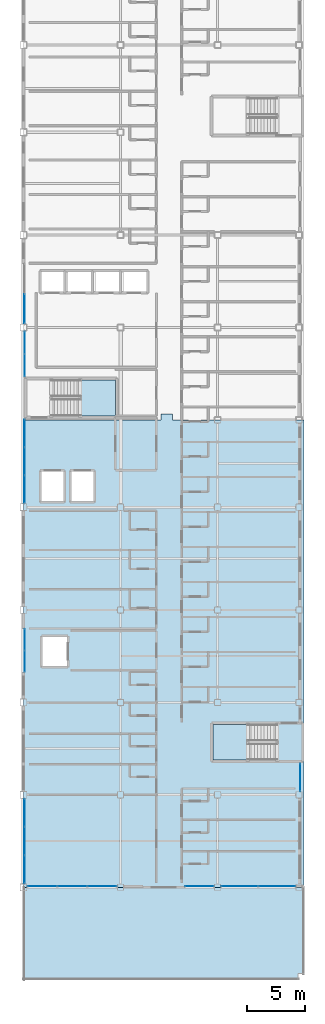
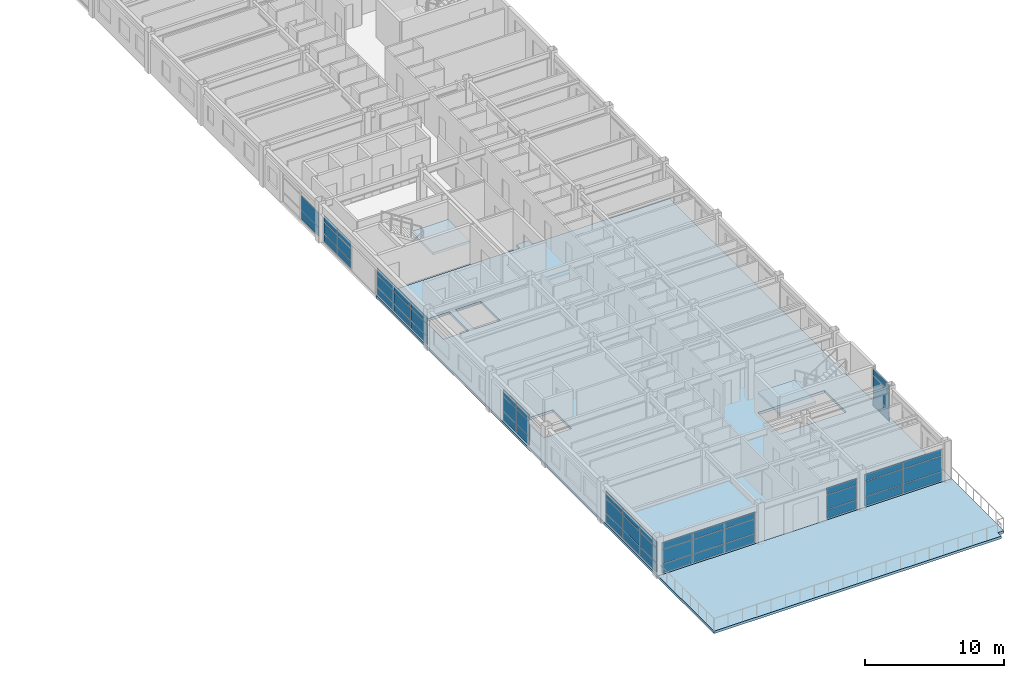
# One storey, part 23 of 36: 53 plates, 4 slabs, 11 elements without a shape of their own.
"""IFC4 building model written with IfcOpenShell, lengths in metres."""

from ifc_helpers import new_model, si_unit, direction, frame, origin, origin_2d, place, context, subcontext, project, spatial, polyline, rectangle, outline, extrude, material, layer, layer_set, type_object, element, aggregate, save


model = new_model("IFC4")

# Units and contexts
model_context = context("Model", 3, precision=1e-05, world=origin(), true_north=direction((0.0, 1.0)))
body_context = subcontext(model_context, "Body", "Model", "MODEL_VIEW")
ifc_project = project(units=[si_unit("LENGTHUNIT", "METRE"), si_unit("AREAUNIT", "SQUARE_METRE"), si_unit("VOLUMEUNIT", "CUBIC_METRE"), si_unit("PLANEANGLEUNIT", "RADIAN"), si_unit("MASSUNIT", "GRAM", prefix="KILO")], contexts=[model_context])

# Site, building, storey
site_placement = place(None, origin())
site = spatial("IfcSite", under=ifc_project, at=site_placement, CompositionType="ELEMENT")
building_placement = place(site_placement, origin())
building = spatial("IfcBuilding", under=site, at=building_placement, Name="Kazehara Bluff Congress Hotel", CompositionType="ELEMENT")
storey_placement = place(building_placement, frame((0.0, 0.0, 31.800048828125)))
storey = spatial("IfcBuildingStorey", under=building, at=storey_placement, Name="L07", CompositionType="ELEMENT", Elevation=31.800048828125)

# Curtain wall, plates
ifc_material_1 = material(Name="Anodised aluminium", Category="aluminium")
ifc_layer_1 = layer(ifc_material_1, 0.159912109375)
ifc_layer_set_1 = layer_set([ifc_layer_1], Name="Anodised aluminium")
curtain_wall_type_1 = type_object("IfcCurtainWallType", Name="TP-CW-182", PredefinedType="NOTDEFINED", material=ifc_layer_set_1)
curtain_wall_1_placement = place(storey_placement, origin())
curtain_wall_1 = element("IfcCurtainWall", 1, at=curtain_wall_1_placement, inside=storey, type_object=curtain_wall_type_1, Name="L07 curtain wall CW-182 CW-ENC-V5-L07-14791-810", PredefinedType="NOTDEFINED")
ifc_material_2 = material(Name="Insulated low-E double glazing", Category="glass")
ifc_layer_2 = layer(ifc_material_2, 0.028076171875)
ifc_layer_set_2 = layer_set([ifc_layer_2], Name="Insulated low-E double glazing")
plate_type_1 = type_object("IfcPlateType", Name="TP-CWP-01", PredefinedType="CURTAIN_PANEL", material=ifc_layer_set_2)
plate_1_placement = place(storey_placement, frame((150.504638671875, 8.10009765625, 0.06494140625), z_axis=(0.0, 0.0, 1.0), x_axis=(-1.0, 0.0, 0.0)))
plate_1 = element("IfcPlate", 2, at=plate_1_placement, type_object=plate_type_1, Name="CW-182 panel 1.1", PredefinedType="CURTAIN_PANEL", context=body_context, shape_type="SweptSolid", body=[
    extrude(rectangle(XDim=2.5107421875, YDim=0.028076171875, at=origin_2d()), origin(), (0.0, 0.0, 1.0), 0.7275390625),
])
plate_2_placement = place(storey_placement, frame((150.504638671875, 8.10009765625, 0.857421875), z_axis=(0.0, 0.0, 1.0), x_axis=(-1.0, 0.0, 0.0)))
plate_2 = element("IfcPlate", 3, at=plate_2_placement, type_object=plate_type_1, Name="CW-182 panel 1.2", PredefinedType="CURTAIN_PANEL", context=body_context, shape_type="SweptSolid", body=[
    extrude(rectangle(XDim=2.5107421875, YDim=0.028076171875, at=origin_2d()), origin(), (0.0, 0.0, 1.0), 1.215087890625),
])
plate_3_placement = place(storey_placement, frame((150.504638671875, 8.10009765625, 2.1376953125), z_axis=(0.0, 0.0, 1.0), x_axis=(-1.0, 0.0, 0.0)))
plate_3 = element("IfcPlate", 4, at=plate_3_placement, type_object=plate_type_1, Name="CW-182 panel 1.3", PredefinedType="CURTAIN_PANEL", context=body_context, shape_type="SweptSolid", body=[
    extrude(rectangle(XDim=2.5107421875, YDim=0.028076171875, at=origin_2d()), origin(), (0.0, 0.0, 1.0), 0.552490234375),
])
plate_4_placement = place(storey_placement, frame((147.91259765625, 8.10009765625, 0.06494140625), z_axis=(0.0, 0.0, 1.0), x_axis=(-1.0, 0.0, 0.0)))
plate_4 = element("IfcPlate", 5, at=plate_4_placement, type_object=plate_type_1, Name="CW-182 panel 2.1", PredefinedType="CURTAIN_PANEL", context=body_context, shape_type="SweptSolid", body=[
    extrude(rectangle(XDim=2.543212890625, YDim=0.028076171875, at=origin_2d()), origin(), (0.0, 0.0, 1.0), 0.7275390625),
])
plate_5_placement = place(storey_placement, frame((147.91259765625, 8.10009765625, 0.857421875), z_axis=(0.0, 0.0, 1.0), x_axis=(-1.0, 0.0, 0.0)))
plate_5 = element("IfcPlate", 6, at=plate_5_placement, type_object=plate_type_1, Name="CW-182 panel 2.2", PredefinedType="CURTAIN_PANEL", context=body_context, shape_type="SweptSolid", body=[
    extrude(rectangle(XDim=2.543212890625, YDim=0.028076171875, at=origin_2d()), origin(), (0.0, 0.0, 1.0), 1.215087890625),
])
plate_6_placement = place(storey_placement, frame((147.91259765625, 8.10009765625, 2.1376953125), z_axis=(0.0, 0.0, 1.0), x_axis=(-1.0, 0.0, 0.0)))
plate_6 = element("IfcPlate", 7, at=plate_6_placement, type_object=plate_type_1, Name="CW-182 panel 2.3", PredefinedType="CURTAIN_PANEL", context=body_context, shape_type="SweptSolid", body=[
    extrude(rectangle(XDim=2.543212890625, YDim=0.028076171875, at=origin_2d()), origin(), (0.0, 0.0, 1.0), 0.552490234375),
])
plate_7_placement = place(storey_placement, frame((145.3203125, 8.10009765625, 0.06494140625), z_axis=(0.0, 0.0, 1.0), x_axis=(-1.0, 0.0, 0.0)))
plate_7 = element("IfcPlate", 8, at=plate_7_placement, type_object=plate_type_1, Name="CW-182 panel 3.1", PredefinedType="CURTAIN_PANEL", context=body_context, shape_type="SweptSolid", body=[
    extrude(rectangle(XDim=2.5107421875, YDim=0.028076171875, at=origin_2d()), origin(), (0.0, 0.0, 1.0), 0.7275390625),
])
plate_8_placement = place(storey_placement, frame((145.3203125, 8.10009765625, 0.857421875), z_axis=(0.0, 0.0, 1.0), x_axis=(-1.0, 0.0, 0.0)))
plate_8 = element("IfcPlate", 9, at=plate_8_placement, type_object=plate_type_1, Name="CW-182 panel 3.2", PredefinedType="CURTAIN_PANEL", context=body_context, shape_type="SweptSolid", body=[
    extrude(rectangle(XDim=2.5107421875, YDim=0.028076171875, at=origin_2d()), origin(), (0.0, 0.0, 1.0), 1.215087890625),
])
plate_9_placement = place(storey_placement, frame((145.3203125, 8.10009765625, 2.1376953125), z_axis=(0.0, 0.0, 1.0), x_axis=(-1.0, 0.0, 0.0)))
plate_9 = element("IfcPlate", 10, at=plate_9_placement, type_object=plate_type_1, Name="CW-182 panel 3.3", PredefinedType="CURTAIN_PANEL", context=body_context, shape_type="SweptSolid", body=[
    extrude(rectangle(XDim=2.5107421875, YDim=0.028076171875, at=origin_2d()), origin(), (0.0, 0.0, 1.0), 0.552490234375),
])
aggregate(curtain_wall_1, [plate_1, plate_2, plate_3, plate_4, plate_5, plate_6, plate_7, plate_8, plate_9])

ifc_material_3 = material(Name="Anodised aluminium", Category="aluminium")
ifc_layer_3 = layer(ifc_material_3, 0.159912109375)
ifc_layer_set_3 = layer_set([ifc_layer_3], Name="Anodised aluminium")
curtain_wall_type_2 = type_object("IfcCurtainWallType", Name="TP-CW-173", PredefinedType="NOTDEFINED", material=ifc_layer_set_3)
curtain_wall_2_placement = place(storey_placement, origin())
curtain_wall_2 = element("IfcCurtainWall", 11, at=curtain_wall_2_placement, inside=storey, type_object=curtain_wall_type_2, Name="L07 curtain wall CW-173 CW-ENC-V5-L07-16402-810", PredefinedType="NOTDEFINED")
plate_10_placement = place(storey_placement, frame((165.635009765625, 8.10009765625, 0.06005859375), z_axis=(0.0, 0.0, 1.0), x_axis=(-1.0, 0.0, 0.0)))
plate_10 = element("IfcPlate", 12, at=plate_10_placement, type_object=plate_type_1, Name="CW-173 panel 1.1", PredefinedType="CURTAIN_PANEL", context=body_context, shape_type="SweptSolid", body=[
    extrude(rectangle(XDim=3.159912109375, YDim=0.028076171875, at=origin_2d()), origin(), (0.0, 0.0, 1.0), 0.764892578125),
])
plate_11_placement = place(storey_placement, frame((165.635009765625, 8.10009765625, 0.885009765625), z_axis=(0.0, 0.0, 1.0), x_axis=(-1.0, 0.0, 0.0)))
plate_11 = element("IfcPlate", 13, at=plate_11_placement, type_object=plate_type_1, Name="CW-173 panel 1.2", PredefinedType="CURTAIN_PANEL", context=body_context, shape_type="SweptSolid", body=[
    extrude(rectangle(XDim=3.159912109375, YDim=0.028076171875, at=origin_2d()), origin(), (0.0, 0.0, 1.0), 1.2900390625),
])
plate_12_placement = place(storey_placement, frame((165.635009765625, 8.10009765625, 2.23486328125), z_axis=(0.0, 0.0, 1.0), x_axis=(-1.0, 0.0, 0.0)))
plate_12 = element("IfcPlate", 14, at=plate_12_placement, type_object=plate_type_1, Name="CW-173 panel 1.3", PredefinedType="CURTAIN_PANEL", context=body_context, shape_type="SweptSolid", body=[
    extrude(rectangle(XDim=3.159912109375, YDim=0.028076171875, at=origin_2d()), origin(), (0.0, 0.0, 1.0), 0.56005859375),
])
plate_13_placement = place(storey_placement, frame((162.4150390625, 8.10009765625, 0.06005859375), z_axis=(0.0, 0.0, 1.0), x_axis=(-1.0, 0.0, 0.0)))
plate_13 = element("IfcPlate", 15, at=plate_13_placement, type_object=plate_type_1, Name="CW-173 panel 2.1", PredefinedType="CURTAIN_PANEL", context=body_context, shape_type="SweptSolid", body=[
    extrude(rectangle(XDim=3.159912109375, YDim=0.028076171875, at=origin_2d()), origin(), (0.0, 0.0, 1.0), 0.764892578125),
])
plate_14_placement = place(storey_placement, frame((162.4150390625, 8.10009765625, 0.885009765625), z_axis=(0.0, 0.0, 1.0), x_axis=(-1.0, 0.0, 0.0)))
plate_14 = element("IfcPlate", 16, at=plate_14_placement, type_object=plate_type_1, Name="CW-173 panel 2.2", PredefinedType="CURTAIN_PANEL", context=body_context, shape_type="SweptSolid", body=[
    extrude(rectangle(XDim=3.159912109375, YDim=0.028076171875, at=origin_2d()), origin(), (0.0, 0.0, 1.0), 1.2900390625),
])
plate_15_placement = place(storey_placement, frame((162.4150390625, 8.10009765625, 2.23486328125), z_axis=(0.0, 0.0, 1.0), x_axis=(-1.0, 0.0, 0.0)))
plate_15 = element("IfcPlate", 17, at=plate_15_placement, type_object=plate_type_1, Name="CW-173 panel 2.3", PredefinedType="CURTAIN_PANEL", context=body_context, shape_type="SweptSolid", body=[
    extrude(rectangle(XDim=3.159912109375, YDim=0.028076171875, at=origin_2d()), origin(), (0.0, 0.0, 1.0), 0.56005859375),
])
aggregate(curtain_wall_2, [plate_10, plate_11, plate_12, plate_13, plate_14, plate_15])

ifc_material_4 = material(Name="Anodised aluminium", Category="aluminium")
ifc_layer_4 = layer(ifc_material_4, 0.159912109375)
ifc_layer_set_4 = layer_set([ifc_layer_4], Name="Anodised aluminium")
curtain_wall_type_3 = type_object("IfcCurtainWallType", Name="TP-CW-184", PredefinedType="NOTDEFINED", material=ifc_layer_set_4)
curtain_wall_3_placement = place(storey_placement, origin())
curtain_wall_3 = element("IfcCurtainWall", 18, at=curtain_wall_3_placement, inside=storey, type_object=curtain_wall_type_3, Name="L07 curtain wall CW-184 CW-ENC-V5-L07-14380-1200", PredefinedType="NOTDEFINED")
plate_16_placement = place(storey_placement, frame((143.800048828125, 9.549560546875, 0.06494140625), z_axis=(0.0, 0.0, 1.0), x_axis=(0.0, 1.0, 0.0)))
plate_16 = element("IfcPlate", 19, at=plate_16_placement, type_object=plate_type_1, Name="CW-184 panel 1.1", PredefinedType="CURTAIN_PANEL", context=body_context, shape_type="SweptSolid", body=[
    extrude(rectangle(XDim=2.369140625, YDim=0.028076171875, at=origin_2d()), origin(), (0.0, 0.0, 1.0), 0.742431640625),
])
plate_17_placement = place(storey_placement, frame((143.800048828125, 9.549560546875, 0.87255859375), z_axis=(0.0, 0.0, 1.0), x_axis=(0.0, 1.0, 0.0)))
plate_17 = element("IfcPlate", 20, at=plate_17_placement, type_object=plate_type_1, Name="CW-184 panel 1.2", PredefinedType="CURTAIN_PANEL", context=body_context, shape_type="SweptSolid", body=[
    extrude(rectangle(XDim=2.369140625, YDim=0.028076171875, at=origin_2d()), origin(), (0.0, 0.0, 1.0), 1.25),
])
plate_18_placement = place(storey_placement, frame((143.800048828125, 9.549560546875, 2.1875), z_axis=(0.0, 0.0, 1.0), x_axis=(0.0, 1.0, 0.0)))
plate_18 = element("IfcPlate", 21, at=plate_18_placement, type_object=plate_type_1, Name="CW-184 panel 1.3", PredefinedType="CURTAIN_PANEL", context=body_context, shape_type="SweptSolid", body=[
    extrude(rectangle(XDim=2.369140625, YDim=0.028076171875, at=origin_2d()), origin(), (0.0, 0.0, 1.0), 0.552490234375),
])
plate_19_placement = place(storey_placement, frame((143.800048828125, 12.0, 0.06494140625), z_axis=(0.0, 0.0, 1.0), x_axis=(0.0, 1.0, 0.0)))
plate_19 = element("IfcPlate", 22, at=plate_19_placement, type_object=plate_type_1, Name="CW-184 panel 2.1", PredefinedType="CURTAIN_PANEL", context=body_context, shape_type="SweptSolid", body=[
    extrude(rectangle(XDim=2.401611328125, YDim=0.028076171875, at=origin_2d()), origin(), (0.0, 0.0, 1.0), 0.742431640625),
])
plate_20_placement = place(storey_placement, frame((143.800048828125, 12.0, 0.87255859375), z_axis=(0.0, 0.0, 1.0), x_axis=(0.0, 1.0, 0.0)))
plate_20 = element("IfcPlate", 23, at=plate_20_placement, type_object=plate_type_1, Name="CW-184 panel 2.2", PredefinedType="CURTAIN_PANEL", context=body_context, shape_type="SweptSolid", body=[
    extrude(rectangle(XDim=2.401611328125, YDim=0.028076171875, at=origin_2d()), origin(), (0.0, 0.0, 1.0), 1.25),
])
plate_21_placement = place(storey_placement, frame((143.800048828125, 12.0, 2.1875), z_axis=(0.0, 0.0, 1.0), x_axis=(0.0, 1.0, 0.0)))
plate_21 = element("IfcPlate", 24, at=plate_21_placement, type_object=plate_type_1, Name="CW-184 panel 2.3", PredefinedType="CURTAIN_PANEL", context=body_context, shape_type="SweptSolid", body=[
    extrude(rectangle(XDim=2.401611328125, YDim=0.028076171875, at=origin_2d()), origin(), (0.0, 0.0, 1.0), 0.552490234375),
])
plate_22_placement = place(storey_placement, frame((143.800048828125, 14.450439453125, 0.06494140625), z_axis=(0.0, 0.0, 1.0), x_axis=(0.0, 1.0, 0.0)))
plate_22 = element("IfcPlate", 25, at=plate_22_placement, type_object=plate_type_1, Name="CW-184 panel 3.1", PredefinedType="CURTAIN_PANEL", context=body_context, shape_type="SweptSolid", body=[
    extrude(rectangle(XDim=2.369140625, YDim=0.028076171875, at=origin_2d()), origin(), (0.0, 0.0, 1.0), 0.742431640625),
])
plate_23_placement = place(storey_placement, frame((143.800048828125, 14.450439453125, 0.87255859375), z_axis=(0.0, 0.0, 1.0), x_axis=(0.0, 1.0, 0.0)))
plate_23 = element("IfcPlate", 26, at=plate_23_placement, type_object=plate_type_1, Name="CW-184 panel 3.2", PredefinedType="CURTAIN_PANEL", context=body_context, shape_type="SweptSolid", body=[
    extrude(rectangle(XDim=2.369140625, YDim=0.028076171875, at=origin_2d()), origin(), (0.0, 0.0, 1.0), 1.25),
])
plate_24_placement = place(storey_placement, frame((143.800048828125, 14.450439453125, 2.1875), z_axis=(0.0, 0.0, 1.0), x_axis=(0.0, 1.0, 0.0)))
plate_24 = element("IfcPlate", 27, at=plate_24_placement, type_object=plate_type_1, Name="CW-184 panel 3.3", PredefinedType="CURTAIN_PANEL", context=body_context, shape_type="SweptSolid", body=[
    extrude(rectangle(XDim=2.369140625, YDim=0.028076171875, at=origin_2d()), origin(), (0.0, 0.0, 1.0), 0.552490234375),
])
aggregate(curtain_wall_3, [plate_16, plate_17, plate_18, plate_19, plate_20, plate_21, plate_22, plate_23, plate_24])

ifc_material_5 = material(Name="Anodised aluminium", Category="aluminium")
ifc_layer_5 = layer(ifc_material_5, 0.159912109375)
ifc_layer_set_5 = layer_set([ifc_layer_5], Name="Anodised aluminium")
curtain_wall_type_4 = type_object("IfcCurtainWallType", Name="TP-CW-177", PredefinedType="NOTDEFINED", material=ifc_layer_set_5)
curtain_wall_4_placement = place(storey_placement, origin())
curtain_wall_4 = element("IfcCurtainWall", 28, at=curtain_wall_4_placement, inside=storey, type_object=curtain_wall_type_4, Name="L07 curtain wall CW-177 CW-ENC-V5-L07-14380-4487", PredefinedType="NOTDEFINED")
plate_25_placement = place(storey_placement, frame((143.800048828125, 42.439697265625, 0.06494140625), z_axis=(0.0, 0.0, 1.0), x_axis=(0.0, 1.0, 0.0)))
plate_25 = element("IfcPlate", 29, at=plate_25_placement, type_object=plate_type_1, Name="CW-177 panel 1.1", PredefinedType="CURTAIN_PANEL", context=body_context, shape_type="SweptSolid", body=[
    extrude(rectangle(XDim=2.34912109375, YDim=0.028076171875, at=origin_2d()), origin(), (0.0, 0.0, 1.0), 0.637451171875),
])
plate_26_placement = place(storey_placement, frame((143.800048828125, 42.439697265625, 0.767578125), z_axis=(0.0, 0.0, 1.0), x_axis=(0.0, 1.0, 0.0)))
plate_26 = element("IfcPlate", 30, at=plate_26_placement, type_object=plate_type_1, Name="CW-177 panel 1.2", PredefinedType="CURTAIN_PANEL", context=body_context, shape_type="SweptSolid", body=[
    extrude(rectangle(XDim=2.34912109375, YDim=0.028076171875, at=origin_2d()), origin(), (0.0, 0.0, 1.0), 1.0048828125),
])
plate_27_placement = place(storey_placement, frame((143.800048828125, 42.439697265625, 1.83740234375), z_axis=(0.0, 0.0, 1.0), x_axis=(0.0, 1.0, 0.0)))
plate_27 = element("IfcPlate", 31, at=plate_27_placement, type_object=plate_type_1, Name="CW-177 panel 1.3", PredefinedType="CURTAIN_PANEL", context=body_context, shape_type="SweptSolid", body=[
    extrude(rectangle(XDim=2.34912109375, YDim=0.028076171875, at=origin_2d()), origin(), (0.0, 0.0, 1.0), 0.552490234375),
])
plate_28_placement = place(storey_placement, frame((143.800048828125, 44.8701171875, 0.06494140625), z_axis=(0.0, 0.0, 1.0), x_axis=(0.0, 1.0, 0.0)))
plate_28 = element("IfcPlate", 32, at=plate_28_placement, type_object=plate_type_1, Name="CW-177 panel 2.1", PredefinedType="CURTAIN_PANEL", context=body_context, shape_type="SweptSolid", body=[
    extrude(rectangle(XDim=2.381591796875, YDim=0.028076171875, at=origin_2d()), origin(), (0.0, 0.0, 1.0), 0.637451171875),
])
plate_29_placement = place(storey_placement, frame((143.800048828125, 44.8701171875, 0.767578125), z_axis=(0.0, 0.0, 1.0), x_axis=(0.0, 1.0, 0.0)))
plate_29 = element("IfcPlate", 33, at=plate_29_placement, type_object=plate_type_1, Name="CW-177 panel 2.2", PredefinedType="CURTAIN_PANEL", context=body_context, shape_type="SweptSolid", body=[
    extrude(rectangle(XDim=2.381591796875, YDim=0.028076171875, at=origin_2d()), origin(), (0.0, 0.0, 1.0), 1.0048828125),
])
plate_30_placement = place(storey_placement, frame((143.800048828125, 44.8701171875, 1.83740234375), z_axis=(0.0, 0.0, 1.0), x_axis=(0.0, 1.0, 0.0)))
plate_30 = element("IfcPlate", 34, at=plate_30_placement, type_object=plate_type_1, Name="CW-177 panel 2.3", PredefinedType="CURTAIN_PANEL", context=body_context, shape_type="SweptSolid", body=[
    extrude(rectangle(XDim=2.381591796875, YDim=0.028076171875, at=origin_2d()), origin(), (0.0, 0.0, 1.0), 0.552490234375),
])
plate_31_placement = place(storey_placement, frame((143.800048828125, 47.300537109375, 0.06494140625), z_axis=(0.0, 0.0, 1.0), x_axis=(0.0, 1.0, 0.0)))
plate_31 = element("IfcPlate", 35, at=plate_31_placement, type_object=plate_type_1, Name="CW-177 panel 3.1", PredefinedType="CURTAIN_PANEL", context=body_context, shape_type="SweptSolid", body=[
    extrude(rectangle(XDim=2.34912109375, YDim=0.028076171875, at=origin_2d()), origin(), (0.0, 0.0, 1.0), 0.637451171875),
])
plate_32_placement = place(storey_placement, frame((143.800048828125, 47.300537109375, 0.767578125), z_axis=(0.0, 0.0, 1.0), x_axis=(0.0, 1.0, 0.0)))
plate_32 = element("IfcPlate", 36, at=plate_32_placement, type_object=plate_type_1, Name="CW-177 panel 3.2", PredefinedType="CURTAIN_PANEL", context=body_context, shape_type="SweptSolid", body=[
    extrude(rectangle(XDim=2.34912109375, YDim=0.028076171875, at=origin_2d()), origin(), (0.0, 0.0, 1.0), 1.0048828125),
])
plate_33_placement = place(storey_placement, frame((143.800048828125, 47.300537109375, 1.83740234375), z_axis=(0.0, 0.0, 1.0), x_axis=(0.0, 1.0, 0.0)))
plate_33 = element("IfcPlate", 37, at=plate_33_placement, type_object=plate_type_1, Name="CW-177 panel 3.3", PredefinedType="CURTAIN_PANEL", context=body_context, shape_type="SweptSolid", body=[
    extrude(rectangle(XDim=2.34912109375, YDim=0.028076171875, at=origin_2d()), origin(), (0.0, 0.0, 1.0), 0.552490234375),
])
aggregate(curtain_wall_4, [plate_25, plate_26, plate_27, plate_28, plate_29, plate_30, plate_31, plate_32, plate_33])

ifc_material_6 = material(Name="Anodised aluminium", Category="aluminium")
ifc_layer_6 = layer(ifc_material_6, 0.159912109375)
ifc_layer_set_6 = layer_set([ifc_layer_6], Name="Anodised aluminium")
curtain_wall_type_5 = type_object("IfcCurtainWallType", Name="TP-CW-179", PredefinedType="NOTDEFINED", material=ifc_layer_set_6)
curtain_wall_5_placement = place(storey_placement, origin())
curtain_wall_5 = element("IfcCurtainWall", 38, at=curtain_wall_5_placement, inside=storey, type_object=curtain_wall_type_5, Name="L07 curtain wall CW-179 CW-ENC-V5-L07-14380-5938", PredefinedType="NOTDEFINED")
plate_34_placement = place(storey_placement, frame((143.800048828125, 58.077392578125, 0.06005859375), z_axis=(0.0, 0.0, 1.0), x_axis=(0.0, 1.0, 0.0)))
plate_34 = element("IfcPlate", 39, at=plate_34_placement, type_object=plate_type_1, Name="CW-179 panel 1.1", PredefinedType="CURTAIN_PANEL", context=body_context, shape_type="SweptSolid", body=[
    extrude(rectangle(XDim=2.534912109375, YDim=0.028076171875, at=origin_2d()), origin(), (0.0, 0.0, 1.0), 0.75),
])
plate_35_placement = place(storey_placement, frame((143.800048828125, 58.077392578125, 0.8701171875), z_axis=(0.0, 0.0, 1.0), x_axis=(0.0, 1.0, 0.0)))
plate_35 = element("IfcPlate", 40, at=plate_35_placement, type_object=plate_type_1, Name="CW-179 panel 1.2", PredefinedType="CURTAIN_PANEL", context=body_context, shape_type="SweptSolid", body=[
    extrude(rectangle(XDim=2.534912109375, YDim=0.028076171875, at=origin_2d()), origin(), (0.0, 0.0, 1.0), 1.2548828125),
])
aggregate(curtain_wall_5, [plate_34, plate_35])

ifc_material_7 = material(Name="Anodised aluminium", Category="aluminium")
ifc_layer_7 = layer(ifc_material_7, 0.159912109375)
ifc_layer_set_7 = layer_set([ifc_layer_7], Name="Anodised aluminium")
curtain_wall_type_6 = type_object("IfcCurtainWallType", Name="TP-CW-183", PredefinedType="NOTDEFINED", material=ifc_layer_set_7)
curtain_wall_6_placement = place(storey_placement, origin())
curtain_wall_6 = element("IfcCurtainWall", 41, at=curtain_wall_6_placement, inside=storey, type_object=curtain_wall_type_6, Name="L07 curtain wall CW-183 CW-ENC-V5-L07-15894-810", PredefinedType="NOTDEFINED")
ifc_material_8 = material(Name="Insulated low-E double glazing", Category="glass")
ifc_layer_8 = layer(ifc_material_8, 0.02001953125)
ifc_layer_set_8 = layer_set([ifc_layer_8], Name="Insulated low-E double glazing")
plate_type_2 = type_object("IfcPlateType", Name="TP-CWP-03", PredefinedType="CURTAIN_PANEL", material=ifc_layer_set_8)
plate_36_placement = place(storey_placement, frame((158.9375, 8.10009765625, 0.06005859375), z_axis=(0.0, 0.0, 1.0), x_axis=(-1.0, 0.0, 0.0)))
plate_36 = element("IfcPlate", 42, at=plate_36_placement, type_object=plate_type_2, Name="CW-183 panel 1.1", PredefinedType="CURTAIN_PANEL", context=body_context, shape_type="SweptSolid", body=[
    extrude(rectangle(XDim=2.455078125, YDim=0.02001953125, at=origin_2d()), origin(), (0.0, 0.0, 1.0), 0.735107421875),
])
plate_37_placement = place(storey_placement, frame((158.9375, 8.10009765625, 0.85498046875), z_axis=(0.0, 0.0, 1.0), x_axis=(-1.0, 0.0, 0.0)))
plate_37 = element("IfcPlate", 43, at=plate_37_placement, type_object=plate_type_2, Name="CW-183 panel 1.2", PredefinedType="CURTAIN_PANEL", context=body_context, shape_type="SweptSolid", body=[
    extrude(rectangle(XDim=2.455078125, YDim=0.02001953125, at=origin_2d()), origin(), (0.0, 0.0, 1.0), 1.219970703125),
])
plate_38_placement = place(storey_placement, frame((158.9375, 8.10009765625, 2.135009765625), z_axis=(0.0, 0.0, 1.0), x_axis=(-1.0, 0.0, 0.0)))
plate_38 = element("IfcPlate", 44, at=plate_38_placement, type_object=plate_type_2, Name="CW-183 panel 1.3", PredefinedType="CURTAIN_PANEL", context=body_context, shape_type="SweptSolid", body=[
    extrude(rectangle(XDim=2.455078125, YDim=0.02001953125, at=origin_2d()), origin(), (0.0, 0.0, 1.0), 0.56005859375),
])
aggregate(curtain_wall_6, [plate_36, plate_37, plate_38])

ifc_material_9 = material(Name="Anodised aluminium", Category="aluminium")
ifc_layer_9 = layer(ifc_material_9, 0.159912109375)
ifc_layer_set_9 = layer_set([ifc_layer_9], Name="Anodised aluminium")
curtain_wall_type_7 = type_object("IfcCurtainWallType", Name="TP-CW-174", PredefinedType="NOTDEFINED", material=ifc_layer_set_9)
curtain_wall_7_placement = place(storey_placement, origin())
curtain_wall_7 = element("IfcCurtainWall", 45, at=curtain_wall_7_placement, inside=storey, type_object=curtain_wall_type_7, Name="L07 curtain wall CW-174 CW-ENC-V5-L07-16765-1751", PredefinedType="NOTDEFINED")
plate_39_placement = place(storey_placement, frame((167.64990234375, 17.507568359375, 0.06005859375), z_axis=(0.0, 0.0, 1.0), x_axis=(0.0, -1.0, 0.0)))
plate_39 = element("IfcPlate", 46, at=plate_39_placement, type_object=plate_type_2, Name="CW-174 panel 1.1", PredefinedType="CURTAIN_PANEL", context=body_context, shape_type="SweptSolid", body=[
    extrude(rectangle(XDim=2.344970703125, YDim=0.02001953125, at=origin_2d()), origin(), (0.0, 0.0, 1.0), 0.919921875),
])
plate_40_placement = place(storey_placement, frame((167.64990234375, 17.507568359375, 1.0400390625), z_axis=(0.0, 0.0, 1.0), x_axis=(0.0, -1.0, 0.0)))
plate_40 = element("IfcPlate", 47, at=plate_40_placement, type_object=plate_type_2, Name="CW-174 panel 1.2", PredefinedType="CURTAIN_PANEL", context=body_context, shape_type="SweptSolid", body=[
    extrude(rectangle(XDim=2.344970703125, YDim=0.02001953125, at=origin_2d()), origin(), (0.0, 0.0, 1.0), 1.64501953125),
])
plate_41_placement = place(storey_placement, frame((167.64990234375, 17.507568359375, 2.744873046875), z_axis=(0.0, 0.0, 1.0), x_axis=(0.0, -1.0, 0.0)))
plate_41 = element("IfcPlate", 48, at=plate_41_placement, type_object=plate_type_2, Name="CW-174 panel 1.3", PredefinedType="CURTAIN_PANEL", context=body_context, shape_type="SweptSolid", body=[
    extrude(rectangle(XDim=2.344970703125, YDim=0.02001953125, at=origin_2d()), origin(), (0.0, 0.0, 1.0), 0.56005859375),
])
aggregate(curtain_wall_7, [plate_39, plate_40, plate_41])

ifc_material_10 = material(Name="Anodised aluminium", Category="aluminium")
ifc_layer_10 = layer(ifc_material_10, 0.159912109375)
ifc_layer_set_10 = layer_set([ifc_layer_10], Name="Anodised aluminium")
curtain_wall_type_8 = type_object("IfcCurtainWallType", Name="TP-CW-176", PredefinedType="NOTDEFINED", material=ifc_layer_set_10)
curtain_wall_8_placement = place(storey_placement, origin())
curtain_wall_8 = element("IfcCurtainWall", 49, at=curtain_wall_8_placement, inside=storey, type_object=curtain_wall_type_8, Name="L07 curtain wall CW-176 CW-ENC-V5-L07-14380-2850", PredefinedType="NOTDEFINED")
plate_42_placement = place(storey_placement, frame((143.800048828125, 27.56494140625, 0.06005859375), z_axis=(0.0, 0.0, 1.0), x_axis=(0.0, 1.0, 0.0)))
plate_42 = element("IfcPlate", 50, at=plate_42_placement, type_object=plate_type_2, Name="CW-176 panel 1.1", PredefinedType="CURTAIN_PANEL", context=body_context, shape_type="SweptSolid", body=[
    extrude(rectangle(XDim=1.81005859375, YDim=0.02001953125, at=origin_2d()), origin(), (0.0, 0.0, 1.0), 0.75),
])
plate_43_placement = place(storey_placement, frame((143.800048828125, 27.56494140625, 0.8701171875), z_axis=(0.0, 0.0, 1.0), x_axis=(0.0, 1.0, 0.0)))
plate_43 = element("IfcPlate", 51, at=plate_43_placement, type_object=plate_type_2, Name="CW-176 panel 1.2", PredefinedType="CURTAIN_PANEL", context=body_context, shape_type="SweptSolid", body=[
    extrude(rectangle(XDim=1.81005859375, YDim=0.02001953125, at=origin_2d()), origin(), (0.0, 0.0, 1.0), 1.2548828125),
])
plate_44_placement = place(storey_placement, frame((143.800048828125, 27.56494140625, 2.184814453125), z_axis=(0.0, 0.0, 1.0), x_axis=(0.0, 1.0, 0.0)))
plate_44 = element("IfcPlate", 52, at=plate_44_placement, type_object=plate_type_2, Name="CW-176 panel 1.3", PredefinedType="CURTAIN_PANEL", context=body_context, shape_type="SweptSolid", body=[
    extrude(rectangle(XDim=1.81005859375, YDim=0.02001953125, at=origin_2d()), origin(), (0.0, 0.0, 1.0), 0.56005859375),
])
plate_45_placement = place(storey_placement, frame((143.800048828125, 29.43505859375, 0.06005859375), z_axis=(0.0, 0.0, 1.0), x_axis=(0.0, 1.0, 0.0)))
plate_45 = element("IfcPlate", 53, at=plate_45_placement, type_object=plate_type_2, Name="CW-176 panel 2.1", PredefinedType="CURTAIN_PANEL", context=body_context, shape_type="SweptSolid", body=[
    extrude(rectangle(XDim=1.81005859375, YDim=0.02001953125, at=origin_2d()), origin(), (0.0, 0.0, 1.0), 0.75),
])
plate_46_placement = place(storey_placement, frame((143.800048828125, 29.43505859375, 0.8701171875), z_axis=(0.0, 0.0, 1.0), x_axis=(0.0, 1.0, 0.0)))
plate_46 = element("IfcPlate", 54, at=plate_46_placement, type_object=plate_type_2, Name="CW-176 panel 2.2", PredefinedType="CURTAIN_PANEL", context=body_context, shape_type="SweptSolid", body=[
    extrude(rectangle(XDim=1.81005859375, YDim=0.02001953125, at=origin_2d()), origin(), (0.0, 0.0, 1.0), 1.2548828125),
])
plate_47_placement = place(storey_placement, frame((143.800048828125, 29.43505859375, 2.184814453125), z_axis=(0.0, 0.0, 1.0), x_axis=(0.0, 1.0, 0.0)))
plate_47 = element("IfcPlate", 55, at=plate_47_placement, type_object=plate_type_2, Name="CW-176 panel 2.3", PredefinedType="CURTAIN_PANEL", context=body_context, shape_type="SweptSolid", body=[
    extrude(rectangle(XDim=1.81005859375, YDim=0.02001953125, at=origin_2d()), origin(), (0.0, 0.0, 1.0), 0.56005859375),
])
aggregate(curtain_wall_8, [plate_42, plate_43, plate_44, plate_45, plate_46, plate_47])

ifc_material_11 = material(Name="Anodised aluminium", Category="aluminium")
ifc_layer_11 = layer(ifc_material_11, 0.159912109375)
ifc_layer_set_11 = layer_set([ifc_layer_11], Name="Anodised aluminium")
curtain_wall_type_9 = type_object("IfcCurtainWallType", Name="TP-CW-178", PredefinedType="NOTDEFINED", material=ifc_layer_set_11)
curtain_wall_9_placement = place(storey_placement, origin())
curtain_wall_9 = element("IfcCurtainWall", 56, at=curtain_wall_9_placement, inside=storey, type_object=curtain_wall_type_9, Name="L07 curtain wall CW-178 CW-ENC-V5-L07-14380-5416", PredefinedType="NOTDEFINED")
plate_48_placement = place(storey_placement, frame((143.800048828125, 53.172607421875, 0.06005859375), z_axis=(0.0, 0.0, 1.0), x_axis=(0.0, 1.0, 0.0)))
plate_48 = element("IfcPlate", 57, at=plate_48_placement, type_object=plate_type_2, Name="CW-178 panel 1.1", PredefinedType="CURTAIN_PANEL", context=body_context, shape_type="SweptSolid", body=[
    extrude(rectangle(XDim=1.905029296875, YDim=0.02001953125, at=origin_2d()), origin(), (0.0, 0.0, 1.0), 0.64501953125),
])
plate_49_placement = place(storey_placement, frame((143.800048828125, 53.172607421875, 0.76513671875), z_axis=(0.0, 0.0, 1.0), x_axis=(0.0, 1.0, 0.0)))
plate_49 = element("IfcPlate", 58, at=plate_49_placement, type_object=plate_type_2, Name="CW-178 panel 1.2", PredefinedType="CURTAIN_PANEL", context=body_context, shape_type="SweptSolid", body=[
    extrude(rectangle(XDim=1.905029296875, YDim=0.02001953125, at=origin_2d()), origin(), (0.0, 0.0, 1.0), 1.010009765625),
])
plate_50_placement = place(storey_placement, frame((143.800048828125, 53.172607421875, 1.8349609375), z_axis=(0.0, 0.0, 1.0), x_axis=(0.0, 1.0, 0.0)))
plate_50 = element("IfcPlate", 59, at=plate_50_placement, type_object=plate_type_2, Name="CW-178 panel 1.3", PredefinedType="CURTAIN_PANEL", context=body_context, shape_type="SweptSolid", body=[
    extrude(rectangle(XDim=1.905029296875, YDim=0.02001953125, at=origin_2d()), origin(), (0.0, 0.0, 1.0), 0.56005859375),
])
plate_51_placement = place(storey_placement, frame((143.800048828125, 55.137451171875, 0.06005859375), z_axis=(0.0, 0.0, 1.0), x_axis=(0.0, 1.0, 0.0)))
plate_51 = element("IfcPlate", 60, at=plate_51_placement, type_object=plate_type_2, Name="CW-178 panel 2.1", PredefinedType="CURTAIN_PANEL", context=body_context, shape_type="SweptSolid", body=[
    extrude(rectangle(XDim=1.905029296875, YDim=0.02001953125, at=origin_2d()), origin(), (0.0, 0.0, 1.0), 0.64501953125),
])
plate_52_placement = place(storey_placement, frame((143.800048828125, 55.137451171875, 0.76513671875), z_axis=(0.0, 0.0, 1.0), x_axis=(0.0, 1.0, 0.0)))
plate_52 = element("IfcPlate", 61, at=plate_52_placement, type_object=plate_type_2, Name="CW-178 panel 2.2", PredefinedType="CURTAIN_PANEL", context=body_context, shape_type="SweptSolid", body=[
    extrude(rectangle(XDim=1.905029296875, YDim=0.02001953125, at=origin_2d()), origin(), (0.0, 0.0, 1.0), 1.010009765625),
])
plate_53_placement = place(storey_placement, frame((143.800048828125, 55.137451171875, 1.8349609375), z_axis=(0.0, 0.0, 1.0), x_axis=(0.0, 1.0, 0.0)))
plate_53 = element("IfcPlate", 62, at=plate_53_placement, type_object=plate_type_2, Name="CW-178 panel 2.3", PredefinedType="CURTAIN_PANEL", context=body_context, shape_type="SweptSolid", body=[
    extrude(rectangle(XDim=1.905029296875, YDim=0.02001953125, at=origin_2d()), origin(), (0.0, 0.0, 1.0), 0.56005859375),
])
aggregate(curtain_wall_9, [plate_48, plate_49, plate_50, plate_51, plate_52, plate_53])

# Slabs
ifc_material_12 = material(Name="Concrete C36/45", Category="concrete")
ifc_layer_12 = layer(ifc_material_12, 0.219970703125)
ifc_layer_set_12 = layer_set([ifc_layer_12], Name="Concrete C36/45")
slab_type_1 = type_object("IfcSlabType", Name="TP-SL-220", PredefinedType="FLOOR", material=ifc_layer_set_12)
slab_1_placement = place(storey_placement, frame((0.0, 0.0, -0.219970703125)))
element("IfcSlab", 63, at=slab_1_placement, inside=storey, type_object=slab_type_1, Name="L07 V5 composite floor slab S", PredefinedType="FLOOR", context=body_context, shape_type="SweptSolid", body=[
    extrude(outline(polyline([(143.699951171875, 8.0), (143.699951171875, 48.449951171875), (155.60009765625, 48.449951171875), (155.60009765625, 48.949951171875), (156.60009765625, 48.949951171875), (156.60009765625, 48.449951171875), (168.0, 48.449951171875), (168.0, 8.0), (143.699951171875, 8.0)]), holes=[polyline([(165.625, 22.10009765625), (160.10009765625, 22.10009765625), (160.10009765625, 19.0), (165.625, 19.0), (165.625, 22.10009765625)]), polyline([(145.14990234375, 41.324951171875), (147.25, 41.324951171875), (147.25, 44.074951171875), (145.14990234375, 44.074951171875), (145.14990234375, 41.324951171875)]), polyline([(147.75, 41.324951171875), (149.85009765625, 41.324951171875), (149.85009765625, 44.074951171875), (147.75, 44.074951171875), (147.75, 41.324951171875)]), polyline([(145.25, 27.050048828125), (147.550048828125, 27.050048828125), (147.550048828125, 29.75), (145.25, 29.75), (145.25, 27.050048828125)])]), origin(), (0.0, 0.0, 1.0), 0.219970703125),
])
ifc_material_13 = material(Name="Concrete C36/45", Category="concrete")
ifc_layer_13 = layer(ifc_material_13, 0.219970703125)
ifc_layer_set_13 = layer_set([ifc_layer_13], Name="Concrete C36/45")
slab_type_2 = type_object("IfcSlabType", Name="TP-SL-TER", PredefinedType="FLOOR", material=ifc_layer_set_13)
slab_2_placement = place(storey_placement, frame((0.0, 0.0, -0.219970703125)))
element("IfcSlab", 64, at=slab_2_placement, inside=storey, type_object=slab_type_2, Name="South Bluff Sky Terrace", PredefinedType="FLOOR", context=body_context, shape_type="SweptSolid", body=[
    extrude(outline(polyline([(143.699951171875, 0.0), (167.5, 0.0), (167.5, 0.5), (168.0, 0.5), (168.0, 8.0), (143.699951171875, 8.0), (143.699951171875, 0.0)])), origin(), (0.0, 0.0, 1.0), 0.219970703125),
])

# Stair, slab
ifc_material_14 = material(Name="Concrete C36/45", Category="concrete")
stair_type = type_object("IfcStairType", Name="TP-ST-T03", PredefinedType="HALF_TURN_STAIR", material=ifc_material_14)
stair_1_placement = place(storey_placement, origin())
stair_1 = element("IfcStair", 65, at=stair_1_placement, inside=storey, type_object=stair_type, Name="L07 Escape stair ST-10", PredefinedType="HALF_TURN_STAIR")
ifc_material_15 = material(Name="Concrete C36/45", Category="concrete")
ifc_layer_14 = layer(ifc_material_15, 0.199951171875)
ifc_layer_set_14 = layer_set([ifc_layer_14], Name="Concrete C36/45")
slab_type_3 = type_object("IfcSlabType", Name="TP-SLD-200", PredefinedType="LANDING", material=ifc_layer_set_14)
slab_3_placement = place(storey_placement, frame((0.0, 0.0, 1.599853515625)))
slab_3 = element("IfcSlab", 66, at=slab_3_placement, type_object=slab_type_3, Name="ST-10 landing 1", PredefinedType="LANDING", context=body_context, shape_type="SweptSolid", body=[
    extrude(outline(polyline([(163.1298828125, 22.10009765625), (160.10009765625, 22.10009765625), (160.10009765625, 19.0), (163.1298828125, 19.0), (163.1298828125, 22.10009765625)])), origin(), (0.0, 0.0, 1.0), 0.2001953125),
])
aggregate(stair_1, [slab_3])

stair_2_placement = place(storey_placement, origin())
stair_2 = element("IfcStair", 67, at=stair_2_placement, inside=storey, type_object=stair_type, Name="L07 Escape stair ST-11", PredefinedType="HALF_TURN_STAIR")
slab_4_placement = place(storey_placement, frame((0.0, 0.0, 1.599853515625)))
slab_4 = element("IfcSlab", 68, at=slab_4_placement, type_object=slab_type_3, Name="ST-11 landing 1", PredefinedType="LANDING", context=body_context, shape_type="SweptSolid", body=[
    extrude(outline(polyline([(148.6201171875, 48.800048828125), (151.64990234375, 48.800048828125), (151.64990234375, 51.89990234375), (148.6201171875, 51.89990234375), (148.6201171875, 48.800048828125)])), origin(), (0.0, 0.0, 1.0), 0.2001953125),
])
aggregate(stair_2, [slab_4])

save(model, "model.ifc")
